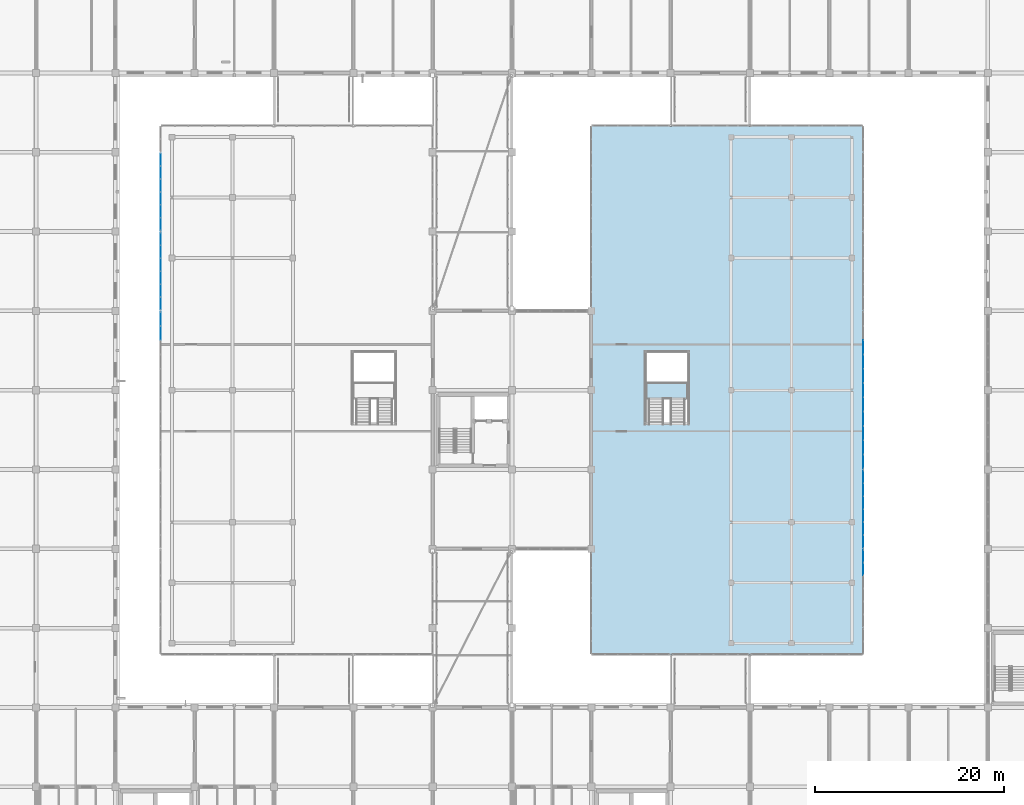
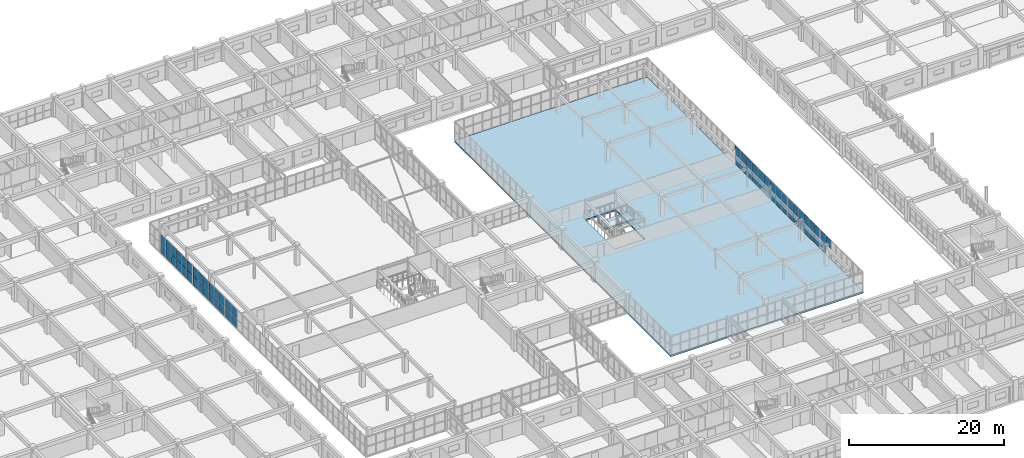
# One storey, part 151 of 200: 61 plates, 2 slabs, 7 elements without a shape of their own.
"""IFC4 building model written with IfcOpenShell, lengths in metres."""

from ifc_helpers import new_model, si_unit, direction, frame, origin, origin_2d, place, context, subcontext, project, spatial, polyline, rectangle, outline, extrude, material, layer, layer_set, type_object, element, aggregate, save


model = new_model("IFC4")

# Units and contexts
model_context = context("Model", 3, precision=1e-05, world=origin(), true_north=direction((0.0, 1.0)))
body_context = subcontext(model_context, "Body", "Model", "MODEL_VIEW")
ifc_project = project(units=[si_unit("LENGTHUNIT", "METRE"), si_unit("AREAUNIT", "SQUARE_METRE"), si_unit("VOLUMEUNIT", "CUBIC_METRE"), si_unit("PLANEANGLEUNIT", "RADIAN"), si_unit("MASSUNIT", "GRAM", prefix="KILO")], contexts=[model_context])

# Site, building, storey
site_placement = place(None, origin())
site = spatial("IfcSite", under=ifc_project, at=site_placement, CompositionType="ELEMENT")
building_placement = place(site_placement, origin())
building = spatial("IfcBuilding", under=site, at=building_placement, Name="Trelvath General Hospital", CompositionType="ELEMENT")
storey_placement = place(building_placement, frame((0.0, 0.0, 4.800048828125)))
storey = spatial("IfcBuildingStorey", under=building, at=storey_placement, Name="L01", CompositionType="ELEMENT", Elevation=4.800048828125)

# Curtain wall, plates
ifc_material_1 = material(Name="Anodised aluminium and low-E glass", Category="aluminium")
ifc_layer_1 = layer(ifc_material_1, 0.14990234375)
ifc_layer_set_1 = layer_set([ifc_layer_1], Name="Anodised aluminium and low-E glass")
curtain_wall_type_1 = type_object("IfcCurtainWallType", Name="CW CrystalCube 1664 306 15", PredefinedType="USERDEFINED", material=ifc_layer_set_1)
curtain_wall_1_placement = place(storey_placement, origin())
curtain_wall_1 = element("IfcCurtainWall", 1, at=curtain_wall_1_placement, inside=storey, type_object=curtain_wall_type_1, Name="Crystal Cube Curtain Wall CUBE-W-T0 W4 L01", ObjectType="Unitised Glazed Curtain Wall", PredefinedType="USERDEFINED")
ifc_material_2 = material(Name="Low-E laminated glass", Category="glass")
ifc_layer_2 = layer(ifc_material_2, 0.028076171875)
ifc_layer_set_2 = layer_set([ifc_layer_2], Name="Low-E laminated glass")
plate_type = type_object("IfcPlateType", Name="CurtainPanel Glass28", PredefinedType="CURTAIN_PANEL", material=ifc_layer_set_2)
plate_1_placement = place(storey_placement, frame((46.800048828125, 64.850830078125, 0.06005859375), z_axis=(0.0, 0.0, 1.0), x_axis=(0.0, 1.0, 0.0)))
plate_1 = element("IfcPlate", 2, at=plate_1_placement, type_object=plate_type, Name="CW-143 panel 10.1", PredefinedType="CURTAIN_PANEL", context=body_context, shape_type="SweptSolid", body=[
    extrude(rectangle(XDim=1.45263671875, YDim=0.028076171875, at=origin_2d()), origin(), (0.0, 0.0, 1.0), 1.43994140625),
])
plate_2_placement = place(storey_placement, frame((46.800048828125, 64.850830078125, 1.56005859375), z_axis=(0.0, 0.0, 1.0), x_axis=(0.0, 1.0, 0.0)))
plate_2 = element("IfcPlate", 3, at=plate_2_placement, type_object=plate_type, Name="CW-143 panel 10.2", PredefinedType="CURTAIN_PANEL", context=body_context, shape_type="SweptSolid", body=[
    extrude(rectangle(XDim=1.45263671875, YDim=0.028076171875, at=origin_2d()), origin(), (0.0, 0.0, 1.0), 1.43994140625),
])
plate_3_placement = place(storey_placement, frame((46.800048828125, 66.3486328125, 0.06005859375), z_axis=(0.0, 0.0, 1.0), x_axis=(0.0, 1.0, 0.0)))
plate_3 = element("IfcPlate", 4, at=plate_3_placement, type_object=plate_type, Name="CW-143 panel 11.1", PredefinedType="CURTAIN_PANEL", context=body_context, shape_type="SweptSolid", body=[
    extrude(rectangle(XDim=1.422607421875, YDim=0.028076171875, at=origin_2d()), origin(), (0.0, 0.0, 1.0), 1.43994140625),
])
plate_4_placement = place(storey_placement, frame((46.800048828125, 66.3486328125, 1.56005859375), z_axis=(0.0, 0.0, 1.0), x_axis=(0.0, 1.0, 0.0)))
plate_4 = element("IfcPlate", 5, at=plate_4_placement, type_object=plate_type, Name="CW-143 panel 11.2", PredefinedType="CURTAIN_PANEL", context=body_context, shape_type="SweptSolid", body=[
    extrude(rectangle(XDim=1.422607421875, YDim=0.028076171875, at=origin_2d()), origin(), (0.0, 0.0, 1.0), 1.43994140625),
])
aggregate(curtain_wall_1, [plate_1, plate_2, plate_3, plate_4])

ifc_material_3 = material(Name="Anodised aluminium and low-E glass", Category="aluminium")
ifc_layer_3 = layer(ifc_material_3, 0.14990234375)
ifc_layer_set_3 = layer_set([ifc_layer_3], Name="Anodised aluminium and low-E glass")
curtain_wall_type_2 = type_object("IfcCurtainWallType", Name="CW CrystalCube 824 306 15", PredefinedType="USERDEFINED", material=ifc_layer_set_3)
curtain_wall_2_placement = place(storey_placement, origin())
curtain_wall_2 = element("IfcCurtainWall", 6, at=curtain_wall_2_placement, inside=storey, type_object=curtain_wall_type_2, Name="Crystal Cube Curtain Wall CUBE-W-T0 W5 L01", ObjectType="Unitised Glazed Curtain Wall", PredefinedType="USERDEFINED")
plate_5_placement = place(storey_placement, frame((46.800048828125, 67.981689453125, 0.06005859375), z_axis=(0.0, 0.0, 1.0), x_axis=(0.0, 1.0, 0.0)))
plate_5 = element("IfcPlate", 7, at=plate_5_placement, type_object=plate_type, Name="CW-144 panel 1.1", PredefinedType="CURTAIN_PANEL", context=body_context, shape_type="SweptSolid", body=[
    extrude(rectangle(XDim=1.283447265625, YDim=0.028076171875, at=origin_2d()), origin(), (0.0, 0.0, 1.0), 1.43994140625),
])
plate_6_placement = place(storey_placement, frame((46.800048828125, 67.981689453125, 1.56005859375), z_axis=(0.0, 0.0, 1.0), x_axis=(0.0, 1.0, 0.0)))
plate_6 = element("IfcPlate", 8, at=plate_6_placement, type_object=plate_type, Name="CW-144 panel 1.2", PredefinedType="CURTAIN_PANEL", context=body_context, shape_type="SweptSolid", body=[
    extrude(rectangle(XDim=1.283447265625, YDim=0.028076171875, at=origin_2d()), origin(), (0.0, 0.0, 1.0), 1.43994140625),
])
plate_7_placement = place(storey_placement, frame((46.800048828125, 69.340087890625, 0.06005859375), z_axis=(0.0, 0.0, 1.0), x_axis=(0.0, 1.0, 0.0)))
plate_7 = element("IfcPlate", 9, at=plate_7_placement, type_object=plate_type, Name="CW-144 panel 2.1", PredefinedType="CURTAIN_PANEL", context=body_context, shape_type="SweptSolid", body=[
    extrude(rectangle(XDim=1.313232421875, YDim=0.028076171875, at=origin_2d()), origin(), (0.0, 0.0, 1.0), 1.43994140625),
])
plate_8_placement = place(storey_placement, frame((46.800048828125, 69.340087890625, 1.56005859375), z_axis=(0.0, 0.0, 1.0), x_axis=(0.0, 1.0, 0.0)))
plate_8 = element("IfcPlate", 10, at=plate_8_placement, type_object=plate_type, Name="CW-144 panel 2.2", PredefinedType="CURTAIN_PANEL", context=body_context, shape_type="SweptSolid", body=[
    extrude(rectangle(XDim=1.313232421875, YDim=0.028076171875, at=origin_2d()), origin(), (0.0, 0.0, 1.0), 1.43994140625),
])
plate_9_placement = place(storey_placement, frame((46.800048828125, 70.71337890625, 0.06005859375), z_axis=(0.0, 0.0, 1.0), x_axis=(0.0, 1.0, 0.0)))
plate_9 = element("IfcPlate", 11, at=plate_9_placement, type_object=plate_type, Name="CW-144 panel 3.1", PredefinedType="CURTAIN_PANEL", context=body_context, shape_type="SweptSolid", body=[
    extrude(rectangle(XDim=1.313232421875, YDim=0.028076171875, at=origin_2d()), origin(), (0.0, 0.0, 1.0), 1.43994140625),
])
plate_10_placement = place(storey_placement, frame((46.800048828125, 70.71337890625, 1.56005859375), z_axis=(0.0, 0.0, 1.0), x_axis=(0.0, 1.0, 0.0)))
plate_10 = element("IfcPlate", 12, at=plate_10_placement, type_object=plate_type, Name="CW-144 panel 3.2", PredefinedType="CURTAIN_PANEL", context=body_context, shape_type="SweptSolid", body=[
    extrude(rectangle(XDim=1.313232421875, YDim=0.028076171875, at=origin_2d()), origin(), (0.0, 0.0, 1.0), 1.43994140625),
])
plate_11_placement = place(storey_placement, frame((46.800048828125, 72.086669921875, 0.06005859375), z_axis=(0.0, 0.0, 1.0), x_axis=(0.0, 1.0, 0.0)))
plate_11 = element("IfcPlate", 13, at=plate_11_placement, type_object=plate_type, Name="CW-144 panel 4.1", PredefinedType="CURTAIN_PANEL", context=body_context, shape_type="SweptSolid", body=[
    extrude(rectangle(XDim=1.313232421875, YDim=0.028076171875, at=origin_2d()), origin(), (0.0, 0.0, 1.0), 1.43994140625),
])
plate_12_placement = place(storey_placement, frame((46.800048828125, 72.086669921875, 1.56005859375), z_axis=(0.0, 0.0, 1.0), x_axis=(0.0, 1.0, 0.0)))
plate_12 = element("IfcPlate", 14, at=plate_12_placement, type_object=plate_type, Name="CW-144 panel 4.2", PredefinedType="CURTAIN_PANEL", context=body_context, shape_type="SweptSolid", body=[
    extrude(rectangle(XDim=1.313232421875, YDim=0.028076171875, at=origin_2d()), origin(), (0.0, 0.0, 1.0), 1.43994140625),
])
plate_13_placement = place(storey_placement, frame((46.800048828125, 73.4599609375, 0.06005859375), z_axis=(0.0, 0.0, 1.0), x_axis=(0.0, 1.0, 0.0)))
plate_13 = element("IfcPlate", 15, at=plate_13_placement, type_object=plate_type, Name="CW-144 panel 5.1", PredefinedType="CURTAIN_PANEL", context=body_context, shape_type="SweptSolid", body=[
    extrude(rectangle(XDim=1.313232421875, YDim=0.028076171875, at=origin_2d()), origin(), (0.0, 0.0, 1.0), 1.43994140625),
])
plate_14_placement = place(storey_placement, frame((46.800048828125, 73.4599609375, 1.56005859375), z_axis=(0.0, 0.0, 1.0), x_axis=(0.0, 1.0, 0.0)))
plate_14 = element("IfcPlate", 16, at=plate_14_placement, type_object=plate_type, Name="CW-144 panel 5.2", PredefinedType="CURTAIN_PANEL", context=body_context, shape_type="SweptSolid", body=[
    extrude(rectangle(XDim=1.313232421875, YDim=0.028076171875, at=origin_2d()), origin(), (0.0, 0.0, 1.0), 1.43994140625),
])
plate_15_placement = place(storey_placement, frame((46.800048828125, 74.818359375, 0.06005859375), z_axis=(0.0, 0.0, 1.0), x_axis=(0.0, 1.0, 0.0)))
plate_15 = element("IfcPlate", 17, at=plate_15_placement, type_object=plate_type, Name="CW-144 panel 6.1", PredefinedType="CURTAIN_PANEL", context=body_context, shape_type="SweptSolid", body=[
    extrude(rectangle(XDim=1.283447265625, YDim=0.028076171875, at=origin_2d()), origin(), (0.0, 0.0, 1.0), 1.43994140625),
])
plate_16_placement = place(storey_placement, frame((46.800048828125, 74.818359375, 1.56005859375), z_axis=(0.0, 0.0, 1.0), x_axis=(0.0, 1.0, 0.0)))
plate_16 = element("IfcPlate", 18, at=plate_16_placement, type_object=plate_type, Name="CW-144 panel 6.2", PredefinedType="CURTAIN_PANEL", context=body_context, shape_type="SweptSolid", body=[
    extrude(rectangle(XDim=1.283447265625, YDim=0.028076171875, at=origin_2d()), origin(), (0.0, 0.0, 1.0), 1.43994140625),
])
aggregate(curtain_wall_2, [plate_5, plate_6, plate_7, plate_8, plate_9, plate_10, plate_11, plate_12, plate_13, plate_14, plate_15, plate_16])

curtain_wall_3_placement = place(storey_placement, origin())
curtain_wall_3 = element("IfcCurtainWall", 19, at=curtain_wall_3_placement, inside=storey, type_object=curtain_wall_type_2, Name="Crystal Cube Curtain Wall CUBE-W-T0 W6 L01", ObjectType="Unitised Glazed Curtain Wall", PredefinedType="USERDEFINED")
plate_17_placement = place(storey_placement, frame((46.800048828125, 76.381591796875, 0.06005859375), z_axis=(0.0, 0.0, 1.0), x_axis=(0.0, 1.0, 0.0)))
plate_17 = element("IfcPlate", 20, at=plate_17_placement, type_object=plate_type, Name="CW-146 panel 1.1", PredefinedType="CURTAIN_PANEL", context=body_context, shape_type="SweptSolid", body=[
    extrude(rectangle(XDim=1.283447265625, YDim=0.028076171875, at=origin_2d()), origin(), (0.0, 0.0, 1.0), 1.43994140625),
])
plate_18_placement = place(storey_placement, frame((46.800048828125, 76.381591796875, 1.56005859375), z_axis=(0.0, 0.0, 1.0), x_axis=(0.0, 1.0, 0.0)))
plate_18 = element("IfcPlate", 21, at=plate_18_placement, type_object=plate_type, Name="CW-146 panel 1.2", PredefinedType="CURTAIN_PANEL", context=body_context, shape_type="SweptSolid", body=[
    extrude(rectangle(XDim=1.283447265625, YDim=0.028076171875, at=origin_2d()), origin(), (0.0, 0.0, 1.0), 1.43994140625),
])
plate_19_placement = place(storey_placement, frame((46.800048828125, 77.739990234375, 0.06005859375), z_axis=(0.0, 0.0, 1.0), x_axis=(0.0, 1.0, 0.0)))
plate_19 = element("IfcPlate", 22, at=plate_19_placement, type_object=plate_type, Name="CW-146 panel 2.1", PredefinedType="CURTAIN_PANEL", context=body_context, shape_type="SweptSolid", body=[
    extrude(rectangle(XDim=1.313232421875, YDim=0.028076171875, at=origin_2d()), origin(), (0.0, 0.0, 1.0), 1.43994140625),
])
plate_20_placement = place(storey_placement, frame((46.800048828125, 77.739990234375, 1.56005859375), z_axis=(0.0, 0.0, 1.0), x_axis=(0.0, 1.0, 0.0)))
plate_20 = element("IfcPlate", 23, at=plate_20_placement, type_object=plate_type, Name="CW-146 panel 2.2", PredefinedType="CURTAIN_PANEL", context=body_context, shape_type="SweptSolid", body=[
    extrude(rectangle(XDim=1.313232421875, YDim=0.028076171875, at=origin_2d()), origin(), (0.0, 0.0, 1.0), 1.43994140625),
])
plate_21_placement = place(storey_placement, frame((46.800048828125, 79.11328125, 0.06005859375), z_axis=(0.0, 0.0, 1.0), x_axis=(0.0, 1.0, 0.0)))
plate_21 = element("IfcPlate", 24, at=plate_21_placement, type_object=plate_type, Name="CW-146 panel 3.1", PredefinedType="CURTAIN_PANEL", context=body_context, shape_type="SweptSolid", body=[
    extrude(rectangle(XDim=1.313232421875, YDim=0.028076171875, at=origin_2d()), origin(), (0.0, 0.0, 1.0), 1.43994140625),
])
plate_22_placement = place(storey_placement, frame((46.800048828125, 79.11328125, 1.56005859375), z_axis=(0.0, 0.0, 1.0), x_axis=(0.0, 1.0, 0.0)))
plate_22 = element("IfcPlate", 25, at=plate_22_placement, type_object=plate_type, Name="CW-146 panel 3.2", PredefinedType="CURTAIN_PANEL", context=body_context, shape_type="SweptSolid", body=[
    extrude(rectangle(XDim=1.313232421875, YDim=0.028076171875, at=origin_2d()), origin(), (0.0, 0.0, 1.0), 1.43994140625),
])
plate_23_placement = place(storey_placement, frame((46.800048828125, 80.486572265625, 0.06005859375), z_axis=(0.0, 0.0, 1.0), x_axis=(0.0, 1.0, 0.0)))
plate_23 = element("IfcPlate", 26, at=plate_23_placement, type_object=plate_type, Name="CW-146 panel 4.1", PredefinedType="CURTAIN_PANEL", context=body_context, shape_type="SweptSolid", body=[
    extrude(rectangle(XDim=1.313232421875, YDim=0.028076171875, at=origin_2d()), origin(), (0.0, 0.0, 1.0), 1.43994140625),
])
plate_24_placement = place(storey_placement, frame((46.800048828125, 80.486572265625, 1.56005859375), z_axis=(0.0, 0.0, 1.0), x_axis=(0.0, 1.0, 0.0)))
plate_24 = element("IfcPlate", 27, at=plate_24_placement, type_object=plate_type, Name="CW-146 panel 4.2", PredefinedType="CURTAIN_PANEL", context=body_context, shape_type="SweptSolid", body=[
    extrude(rectangle(XDim=1.313232421875, YDim=0.028076171875, at=origin_2d()), origin(), (0.0, 0.0, 1.0), 1.43994140625),
])
plate_25_placement = place(storey_placement, frame((46.800048828125, 81.860107421875, 0.06005859375), z_axis=(0.0, 0.0, 1.0), x_axis=(0.0, 1.0, 0.0)))
plate_25 = element("IfcPlate", 28, at=plate_25_placement, type_object=plate_type, Name="CW-146 panel 5.1", PredefinedType="CURTAIN_PANEL", context=body_context, shape_type="SweptSolid", body=[
    extrude(rectangle(XDim=1.313232421875, YDim=0.028076171875, at=origin_2d()), origin(), (0.0, 0.0, 1.0), 1.43994140625),
])
plate_26_placement = place(storey_placement, frame((46.800048828125, 81.860107421875, 1.56005859375), z_axis=(0.0, 0.0, 1.0), x_axis=(0.0, 1.0, 0.0)))
plate_26 = element("IfcPlate", 29, at=plate_26_placement, type_object=plate_type, Name="CW-146 panel 5.2", PredefinedType="CURTAIN_PANEL", context=body_context, shape_type="SweptSolid", body=[
    extrude(rectangle(XDim=1.313232421875, YDim=0.028076171875, at=origin_2d()), origin(), (0.0, 0.0, 1.0), 1.43994140625),
])
plate_27_placement = place(storey_placement, frame((46.800048828125, 83.21826171875, 0.06005859375), z_axis=(0.0, 0.0, 1.0), x_axis=(0.0, 1.0, 0.0)))
plate_27 = element("IfcPlate", 30, at=plate_27_placement, type_object=plate_type, Name="CW-146 panel 6.1", PredefinedType="CURTAIN_PANEL", context=body_context, shape_type="SweptSolid", body=[
    extrude(rectangle(XDim=1.283447265625, YDim=0.028076171875, at=origin_2d()), origin(), (0.0, 0.0, 1.0), 1.43994140625),
])
plate_28_placement = place(storey_placement, frame((46.800048828125, 83.21826171875, 1.56005859375), z_axis=(0.0, 0.0, 1.0), x_axis=(0.0, 1.0, 0.0)))
plate_28 = element("IfcPlate", 31, at=plate_28_placement, type_object=plate_type, Name="CW-146 panel 6.2", PredefinedType="CURTAIN_PANEL", context=body_context, shape_type="SweptSolid", body=[
    extrude(rectangle(XDim=1.283447265625, YDim=0.028076171875, at=origin_2d()), origin(), (0.0, 0.0, 1.0), 1.43994140625),
])
aggregate(curtain_wall_3, [plate_17, plate_18, plate_19, plate_20, plate_21, plate_22, plate_23, plate_24, plate_25, plate_26, plate_27, plate_28])

curtain_wall_4_placement = place(storey_placement, origin())
curtain_wall_4 = element("IfcCurtainWall", 32, at=curtain_wall_4_placement, inside=storey, type_object=curtain_wall_type_2, Name="Crystal Cube Curtain Wall CUBE-E-T0 E2 L01", ObjectType="Unitised Glazed Curtain Wall", PredefinedType="USERDEFINED")
plate_29_placement = place(storey_placement, frame((121.199951171875, 41.21826171875, 0.06005859375), z_axis=(0.0, 0.0, 1.0), x_axis=(0.0, -1.0, 0.0)))
plate_29 = element("IfcPlate", 33, at=plate_29_placement, type_object=plate_type, Name="CW-162 panel 1.1", PredefinedType="CURTAIN_PANEL", context=body_context, shape_type="SweptSolid", body=[
    extrude(rectangle(XDim=1.283447265625, YDim=0.028076171875, at=origin_2d()), origin(), (0.0, 0.0, 1.0), 1.43994140625),
])
plate_30_placement = place(storey_placement, frame((121.199951171875, 41.21826171875, 1.56005859375), z_axis=(0.0, 0.0, 1.0), x_axis=(0.0, -1.0, 0.0)))
plate_30 = element("IfcPlate", 34, at=plate_30_placement, type_object=plate_type, Name="CW-162 panel 1.2", PredefinedType="CURTAIN_PANEL", context=body_context, shape_type="SweptSolid", body=[
    extrude(rectangle(XDim=1.283447265625, YDim=0.028076171875, at=origin_2d()), origin(), (0.0, 0.0, 1.0), 1.43994140625),
])
plate_31_placement = place(storey_placement, frame((121.199951171875, 39.860107421875, 1.56005859375), z_axis=(0.0, 0.0, 1.0), x_axis=(0.0, -1.0, 0.0)))
plate_31 = element("IfcPlate", 35, at=plate_31_placement, type_object=plate_type, Name="CW-162 panel 2.2", PredefinedType="CURTAIN_PANEL", context=body_context, shape_type="SweptSolid", body=[
    extrude(rectangle(XDim=1.313232421875, YDim=0.028076171875, at=origin_2d()), origin(), (0.0, 0.0, 1.0), 1.43994140625),
])
aggregate(curtain_wall_4, [plate_29, plate_30, plate_31])

curtain_wall_5_placement = place(storey_placement, origin())
curtain_wall_5 = element("IfcCurtainWall", 36, at=curtain_wall_5_placement, inside=storey, type_object=curtain_wall_type_2, Name="Crystal Cube Curtain Wall CUBE-E-T0 E3 L01", ObjectType="Unitised Glazed Curtain Wall", PredefinedType="USERDEFINED")
plate_32_placement = place(storey_placement, frame((121.199951171875, 49.618408203125, 0.06005859375), z_axis=(0.0, 0.0, 1.0), x_axis=(0.0, -1.0, 0.0)))
plate_32 = element("IfcPlate", 37, at=plate_32_placement, type_object=plate_type, Name="CW-164 panel 1.1", PredefinedType="CURTAIN_PANEL", context=body_context, shape_type="SweptSolid", body=[
    extrude(rectangle(XDim=1.283447265625, YDim=0.028076171875, at=origin_2d()), origin(), (0.0, 0.0, 1.0), 1.43994140625),
])
plate_33_placement = place(storey_placement, frame((121.199951171875, 49.618408203125, 1.56005859375), z_axis=(0.0, 0.0, 1.0), x_axis=(0.0, -1.0, 0.0)))
plate_33 = element("IfcPlate", 38, at=plate_33_placement, type_object=plate_type, Name="CW-164 panel 1.2", PredefinedType="CURTAIN_PANEL", context=body_context, shape_type="SweptSolid", body=[
    extrude(rectangle(XDim=1.283447265625, YDim=0.028076171875, at=origin_2d()), origin(), (0.0, 0.0, 1.0), 1.43994140625),
])
plate_34_placement = place(storey_placement, frame((121.199951171875, 48.260009765625, 0.06005859375), z_axis=(0.0, 0.0, 1.0), x_axis=(0.0, -1.0, 0.0)))
plate_34 = element("IfcPlate", 39, at=plate_34_placement, type_object=plate_type, Name="CW-164 panel 2.1", PredefinedType="CURTAIN_PANEL", context=body_context, shape_type="SweptSolid", body=[
    extrude(rectangle(XDim=1.313232421875, YDim=0.028076171875, at=origin_2d()), origin(), (0.0, 0.0, 1.0), 1.43994140625),
])
plate_35_placement = place(storey_placement, frame((121.199951171875, 48.260009765625, 1.56005859375), z_axis=(0.0, 0.0, 1.0), x_axis=(0.0, -1.0, 0.0)))
plate_35 = element("IfcPlate", 40, at=plate_35_placement, type_object=plate_type, Name="CW-164 panel 2.2", PredefinedType="CURTAIN_PANEL", context=body_context, shape_type="SweptSolid", body=[
    extrude(rectangle(XDim=1.313232421875, YDim=0.028076171875, at=origin_2d()), origin(), (0.0, 0.0, 1.0), 1.43994140625),
])
plate_36_placement = place(storey_placement, frame((121.199951171875, 46.88671875, 0.06005859375), z_axis=(0.0, 0.0, 1.0), x_axis=(0.0, -1.0, 0.0)))
plate_36 = element("IfcPlate", 41, at=plate_36_placement, type_object=plate_type, Name="CW-164 panel 3.1", PredefinedType="CURTAIN_PANEL", context=body_context, shape_type="SweptSolid", body=[
    extrude(rectangle(XDim=1.313232421875, YDim=0.028076171875, at=origin_2d()), origin(), (0.0, 0.0, 1.0), 1.43994140625),
])
plate_37_placement = place(storey_placement, frame((121.199951171875, 46.88671875, 1.56005859375), z_axis=(0.0, 0.0, 1.0), x_axis=(0.0, -1.0, 0.0)))
plate_37 = element("IfcPlate", 42, at=plate_37_placement, type_object=plate_type, Name="CW-164 panel 3.2", PredefinedType="CURTAIN_PANEL", context=body_context, shape_type="SweptSolid", body=[
    extrude(rectangle(XDim=1.313232421875, YDim=0.028076171875, at=origin_2d()), origin(), (0.0, 0.0, 1.0), 1.43994140625),
])
plate_38_placement = place(storey_placement, frame((121.199951171875, 45.513427734375, 0.06005859375), z_axis=(0.0, 0.0, 1.0), x_axis=(0.0, -1.0, 0.0)))
plate_38 = element("IfcPlate", 43, at=plate_38_placement, type_object=plate_type, Name="CW-164 panel 4.1", PredefinedType="CURTAIN_PANEL", context=body_context, shape_type="SweptSolid", body=[
    extrude(rectangle(XDim=1.313232421875, YDim=0.028076171875, at=origin_2d()), origin(), (0.0, 0.0, 1.0), 1.43994140625),
])
plate_39_placement = place(storey_placement, frame((121.199951171875, 45.513427734375, 1.56005859375), z_axis=(0.0, 0.0, 1.0), x_axis=(0.0, -1.0, 0.0)))
plate_39 = element("IfcPlate", 44, at=plate_39_placement, type_object=plate_type, Name="CW-164 panel 4.2", PredefinedType="CURTAIN_PANEL", context=body_context, shape_type="SweptSolid", body=[
    extrude(rectangle(XDim=1.313232421875, YDim=0.028076171875, at=origin_2d()), origin(), (0.0, 0.0, 1.0), 1.43994140625),
])
plate_40_placement = place(storey_placement, frame((121.199951171875, 44.139892578125, 0.06005859375), z_axis=(0.0, 0.0, 1.0), x_axis=(0.0, -1.0, 0.0)))
plate_40 = element("IfcPlate", 45, at=plate_40_placement, type_object=plate_type, Name="CW-164 panel 5.1", PredefinedType="CURTAIN_PANEL", context=body_context, shape_type="SweptSolid", body=[
    extrude(rectangle(XDim=1.313232421875, YDim=0.028076171875, at=origin_2d()), origin(), (0.0, 0.0, 1.0), 1.43994140625),
])
plate_41_placement = place(storey_placement, frame((121.199951171875, 44.139892578125, 1.56005859375), z_axis=(0.0, 0.0, 1.0), x_axis=(0.0, -1.0, 0.0)))
plate_41 = element("IfcPlate", 46, at=plate_41_placement, type_object=plate_type, Name="CW-164 panel 5.2", PredefinedType="CURTAIN_PANEL", context=body_context, shape_type="SweptSolid", body=[
    extrude(rectangle(XDim=1.313232421875, YDim=0.028076171875, at=origin_2d()), origin(), (0.0, 0.0, 1.0), 1.43994140625),
])
plate_42_placement = place(storey_placement, frame((121.199951171875, 42.78173828125, 0.06005859375), z_axis=(0.0, 0.0, 1.0), x_axis=(0.0, -1.0, 0.0)))
plate_42 = element("IfcPlate", 47, at=plate_42_placement, type_object=plate_type, Name="CW-164 panel 6.1", PredefinedType="CURTAIN_PANEL", context=body_context, shape_type="SweptSolid", body=[
    extrude(rectangle(XDim=1.283447265625, YDim=0.028076171875, at=origin_2d()), origin(), (0.0, 0.0, 1.0), 1.43994140625),
])
plate_43_placement = place(storey_placement, frame((121.199951171875, 42.78173828125, 1.56005859375), z_axis=(0.0, 0.0, 1.0), x_axis=(0.0, -1.0, 0.0)))
plate_43 = element("IfcPlate", 48, at=plate_43_placement, type_object=plate_type, Name="CW-164 panel 6.2", PredefinedType="CURTAIN_PANEL", context=body_context, shape_type="SweptSolid", body=[
    extrude(rectangle(XDim=1.283447265625, YDim=0.028076171875, at=origin_2d()), origin(), (0.0, 0.0, 1.0), 1.43994140625),
])
aggregate(curtain_wall_5, [plate_32, plate_33, plate_34, plate_35, plate_36, plate_37, plate_38, plate_39, plate_40, plate_41, plate_42, plate_43])

curtain_wall_6_placement = place(storey_placement, origin())
curtain_wall_6 = element("IfcCurtainWall", 49, at=curtain_wall_6_placement, inside=storey, type_object=curtain_wall_type_1, Name="Crystal Cube Curtain Wall CUBE-E-T0 E4 L01", ObjectType="Unitised Glazed Curtain Wall", PredefinedType="USERDEFINED")
plate_44_placement = place(storey_placement, frame((121.199951171875, 63.338134765625, 0.06005859375), z_axis=(0.0, 0.0, 1.0), x_axis=(0.0, -1.0, 0.0)))
plate_44 = element("IfcPlate", 50, at=plate_44_placement, type_object=plate_type, Name="CW-165 panel 3.1", PredefinedType="CURTAIN_PANEL", context=body_context, shape_type="SweptSolid", body=[
    extrude(rectangle(XDim=1.45263671875, YDim=0.028076171875, at=origin_2d()), origin(), (0.0, 0.0, 1.0), 1.43994140625),
])
plate_45_placement = place(storey_placement, frame((121.199951171875, 63.338134765625, 1.56005859375), z_axis=(0.0, 0.0, 1.0), x_axis=(0.0, -1.0, 0.0)))
plate_45 = element("IfcPlate", 51, at=plate_45_placement, type_object=plate_type, Name="CW-165 panel 3.2", PredefinedType="CURTAIN_PANEL", context=body_context, shape_type="SweptSolid", body=[
    extrude(rectangle(XDim=1.45263671875, YDim=0.028076171875, at=origin_2d()), origin(), (0.0, 0.0, 1.0), 1.43994140625),
])
plate_46_placement = place(storey_placement, frame((121.199951171875, 61.825439453125, 0.06005859375), z_axis=(0.0, 0.0, 1.0), x_axis=(0.0, -1.0, 0.0)))
plate_46 = element("IfcPlate", 52, at=plate_46_placement, type_object=plate_type, Name="CW-165 panel 4.1", PredefinedType="CURTAIN_PANEL", context=body_context, shape_type="SweptSolid", body=[
    extrude(rectangle(XDim=1.45263671875, YDim=0.028076171875, at=origin_2d()), origin(), (0.0, 0.0, 1.0), 1.43994140625),
])
plate_47_placement = place(storey_placement, frame((121.199951171875, 61.825439453125, 1.56005859375), z_axis=(0.0, 0.0, 1.0), x_axis=(0.0, -1.0, 0.0)))
plate_47 = element("IfcPlate", 53, at=plate_47_placement, type_object=plate_type, Name="CW-165 panel 4.2", PredefinedType="CURTAIN_PANEL", context=body_context, shape_type="SweptSolid", body=[
    extrude(rectangle(XDim=1.45263671875, YDim=0.028076171875, at=origin_2d()), origin(), (0.0, 0.0, 1.0), 1.43994140625),
])
plate_48_placement = place(storey_placement, frame((121.199951171875, 60.312744140625, 0.06005859375), z_axis=(0.0, 0.0, 1.0), x_axis=(0.0, -1.0, 0.0)))
plate_48 = element("IfcPlate", 54, at=plate_48_placement, type_object=plate_type, Name="CW-165 panel 5.1", PredefinedType="CURTAIN_PANEL", context=body_context, shape_type="SweptSolid", body=[
    extrude(rectangle(XDim=1.45263671875, YDim=0.028076171875, at=origin_2d()), origin(), (0.0, 0.0, 1.0), 1.43994140625),
])
plate_49_placement = place(storey_placement, frame((121.199951171875, 60.312744140625, 1.56005859375), z_axis=(0.0, 0.0, 1.0), x_axis=(0.0, -1.0, 0.0)))
plate_49 = element("IfcPlate", 55, at=plate_49_placement, type_object=plate_type, Name="CW-165 panel 5.2", PredefinedType="CURTAIN_PANEL", context=body_context, shape_type="SweptSolid", body=[
    extrude(rectangle(XDim=1.45263671875, YDim=0.028076171875, at=origin_2d()), origin(), (0.0, 0.0, 1.0), 1.43994140625),
])
plate_50_placement = place(storey_placement, frame((121.199951171875, 58.800048828125, 0.06005859375), z_axis=(0.0, 0.0, 1.0), x_axis=(0.0, -1.0, 0.0)))
plate_50 = element("IfcPlate", 56, at=plate_50_placement, type_object=plate_type, Name="CW-165 panel 6.1", PredefinedType="CURTAIN_PANEL", context=body_context, shape_type="SweptSolid", body=[
    extrude(rectangle(XDim=1.45263671875, YDim=0.028076171875, at=origin_2d()), origin(), (0.0, 0.0, 1.0), 1.43994140625),
])
plate_51_placement = place(storey_placement, frame((121.199951171875, 58.800048828125, 1.56005859375), z_axis=(0.0, 0.0, 1.0), x_axis=(0.0, -1.0, 0.0)))
plate_51 = element("IfcPlate", 57, at=plate_51_placement, type_object=plate_type, Name="CW-165 panel 6.2", PredefinedType="CURTAIN_PANEL", context=body_context, shape_type="SweptSolid", body=[
    extrude(rectangle(XDim=1.45263671875, YDim=0.028076171875, at=origin_2d()), origin(), (0.0, 0.0, 1.0), 1.43994140625),
])
plate_52_placement = place(storey_placement, frame((121.199951171875, 57.287353515625, 0.06005859375), z_axis=(0.0, 0.0, 1.0), x_axis=(0.0, -1.0, 0.0)))
plate_52 = element("IfcPlate", 58, at=plate_52_placement, type_object=plate_type, Name="CW-165 panel 7.1", PredefinedType="CURTAIN_PANEL", context=body_context, shape_type="SweptSolid", body=[
    extrude(rectangle(XDim=1.45263671875, YDim=0.028076171875, at=origin_2d()), origin(), (0.0, 0.0, 1.0), 1.43994140625),
])
plate_53_placement = place(storey_placement, frame((121.199951171875, 57.287353515625, 1.56005859375), z_axis=(0.0, 0.0, 1.0), x_axis=(0.0, -1.0, 0.0)))
plate_53 = element("IfcPlate", 59, at=plate_53_placement, type_object=plate_type, Name="CW-165 panel 7.2", PredefinedType="CURTAIN_PANEL", context=body_context, shape_type="SweptSolid", body=[
    extrude(rectangle(XDim=1.45263671875, YDim=0.028076171875, at=origin_2d()), origin(), (0.0, 0.0, 1.0), 1.43994140625),
])
plate_54_placement = place(storey_placement, frame((121.199951171875, 55.774658203125, 0.06005859375), z_axis=(0.0, 0.0, 1.0), x_axis=(0.0, -1.0, 0.0)))
plate_54 = element("IfcPlate", 60, at=plate_54_placement, type_object=plate_type, Name="CW-165 panel 8.1", PredefinedType="CURTAIN_PANEL", context=body_context, shape_type="SweptSolid", body=[
    extrude(rectangle(XDim=1.45263671875, YDim=0.028076171875, at=origin_2d()), origin(), (0.0, 0.0, 1.0), 1.43994140625),
])
plate_55_placement = place(storey_placement, frame((121.199951171875, 55.774658203125, 1.56005859375), z_axis=(0.0, 0.0, 1.0), x_axis=(0.0, -1.0, 0.0)))
plate_55 = element("IfcPlate", 61, at=plate_55_placement, type_object=plate_type, Name="CW-165 panel 8.2", PredefinedType="CURTAIN_PANEL", context=body_context, shape_type="SweptSolid", body=[
    extrude(rectangle(XDim=1.45263671875, YDim=0.028076171875, at=origin_2d()), origin(), (0.0, 0.0, 1.0), 1.43994140625),
])
plate_56_placement = place(storey_placement, frame((121.199951171875, 54.26171875, 0.06005859375), z_axis=(0.0, 0.0, 1.0), x_axis=(0.0, -1.0, 0.0)))
plate_56 = element("IfcPlate", 62, at=plate_56_placement, type_object=plate_type, Name="CW-165 panel 9.1", PredefinedType="CURTAIN_PANEL", context=body_context, shape_type="SweptSolid", body=[
    extrude(rectangle(XDim=1.45263671875, YDim=0.028076171875, at=origin_2d()), origin(), (0.0, 0.0, 1.0), 1.43994140625),
])
plate_57_placement = place(storey_placement, frame((121.199951171875, 54.26171875, 1.56005859375), z_axis=(0.0, 0.0, 1.0), x_axis=(0.0, -1.0, 0.0)))
plate_57 = element("IfcPlate", 63, at=plate_57_placement, type_object=plate_type, Name="CW-165 panel 9.2", PredefinedType="CURTAIN_PANEL", context=body_context, shape_type="SweptSolid", body=[
    extrude(rectangle(XDim=1.45263671875, YDim=0.028076171875, at=origin_2d()), origin(), (0.0, 0.0, 1.0), 1.43994140625),
])
plate_58_placement = place(storey_placement, frame((121.199951171875, 52.7490234375, 0.06005859375), z_axis=(0.0, 0.0, 1.0), x_axis=(0.0, -1.0, 0.0)))
plate_58 = element("IfcPlate", 64, at=plate_58_placement, type_object=plate_type, Name="CW-165 panel 10.1", PredefinedType="CURTAIN_PANEL", context=body_context, shape_type="SweptSolid", body=[
    extrude(rectangle(XDim=1.45263671875, YDim=0.028076171875, at=origin_2d()), origin(), (0.0, 0.0, 1.0), 1.43994140625),
])
plate_59_placement = place(storey_placement, frame((121.199951171875, 52.7490234375, 1.56005859375), z_axis=(0.0, 0.0, 1.0), x_axis=(0.0, -1.0, 0.0)))
plate_59 = element("IfcPlate", 65, at=plate_59_placement, type_object=plate_type, Name="CW-165 panel 10.2", PredefinedType="CURTAIN_PANEL", context=body_context, shape_type="SweptSolid", body=[
    extrude(rectangle(XDim=1.45263671875, YDim=0.028076171875, at=origin_2d()), origin(), (0.0, 0.0, 1.0), 1.43994140625),
])
plate_60_placement = place(storey_placement, frame((121.199951171875, 51.25146484375, 0.06005859375), z_axis=(0.0, 0.0, 1.0), x_axis=(0.0, -1.0, 0.0)))
plate_60 = element("IfcPlate", 66, at=plate_60_placement, type_object=plate_type, Name="CW-165 panel 11.1", PredefinedType="CURTAIN_PANEL", context=body_context, shape_type="SweptSolid", body=[
    extrude(rectangle(XDim=1.422607421875, YDim=0.028076171875, at=origin_2d()), origin(), (0.0, 0.0, 1.0), 1.43994140625),
])
plate_61_placement = place(storey_placement, frame((121.199951171875, 51.25146484375, 1.56005859375), z_axis=(0.0, 0.0, 1.0), x_axis=(0.0, -1.0, 0.0)))
plate_61 = element("IfcPlate", 67, at=plate_61_placement, type_object=plate_type, Name="CW-165 panel 11.2", PredefinedType="CURTAIN_PANEL", context=body_context, shape_type="SweptSolid", body=[
    extrude(rectangle(XDim=1.422607421875, YDim=0.028076171875, at=origin_2d()), origin(), (0.0, 0.0, 1.0), 1.43994140625),
])
aggregate(curtain_wall_6, [plate_44, plate_45, plate_46, plate_47, plate_48, plate_49, plate_50, plate_51, plate_52, plate_53, plate_54, plate_55, plate_56, plate_57, plate_58, plate_59, plate_60, plate_61])

# Slab
ifc_material_4 = material(Name="Concrete C35/45", Category="concrete")
ifc_layer_4 = layer(ifc_material_4, 0.239990234375)
ifc_layer_set_4 = layer_set([ifc_layer_4], Name="Concrete C35/45")
slab_type_1 = type_object("IfcSlabType", Name="FlatSlab Cube240", PredefinedType="FLOOR", material=ifc_layer_set_4)
slab_1_placement = place(storey_placement, frame((0.0, 0.0, -0.239990234375)))
element("IfcSlab", 68, at=slab_1_placement, inside=storey, type_object=slab_type_1, Name="Crystal Cube Slab CUBE-E-T0 L01", PredefinedType="FLOOR", context=body_context, shape_type="SweptSolid", body=[
    extrude(outline(polyline([(92.39990234375, 30.800048828125), (121.199951171875, 30.800048828125), (121.199951171875, 86.800048828125), (92.39990234375, 86.800048828125), (92.39990234375, 30.800048828125)]), holes=[polyline([(98.14990234375, 55.25), (102.64990234375, 55.25), (102.64990234375, 62.85009765625), (98.14990234375, 62.85009765625), (98.14990234375, 55.25)])]), origin(), (0.0, 0.0, 1.0), 0.239990234375),
])

# Stair, slab
ifc_material_5 = material(Name="Concrete C35/45", Category="concrete")
stair_type = type_object("IfcStairType", Name="Stair PublicCube330", PredefinedType="TWO_STRAIGHT_RUN_STAIR", material=ifc_material_5)
stair_placement = place(storey_placement, origin())
stair = element("IfcStair", 69, at=stair_placement, inside=storey, type_object=stair_type, Name="Public Cube Feature Stair ST10 L01", PredefinedType="TWO_STRAIGHT_RUN_STAIR")
ifc_material_6 = material(Name="Concrete C35/45", Category="concrete")
ifc_layer_5 = layer(ifc_material_6, 0.199951171875)
ifc_layer_set_5 = layer_set([ifc_layer_5], Name="Concrete C35/45")
slab_type_2 = type_object("IfcSlabType", Name="StairLanding 200", PredefinedType="LANDING", material=ifc_layer_set_5)
slab_2_placement = place(storey_placement, frame((0.0, 0.0, 1.449951171875)))
slab_2 = element("IfcSlab", 70, at=slab_2_placement, type_object=slab_type_2, Name="ST10-L01 landing 1", PredefinedType="LANDING", context=body_context, shape_type="SweptSolid", body=[
    extrude(outline(polyline([(98.199951171875, 57.7900390625), (102.60009765625, 57.7900390625), (102.60009765625, 59.6201171875), (98.199951171875, 59.6201171875), (98.199951171875, 57.7900390625)])), origin(), (0.0, 0.0, 1.0), 0.199951171875),
])
aggregate(stair, [slab_2])

save(model, "model.ifc")
